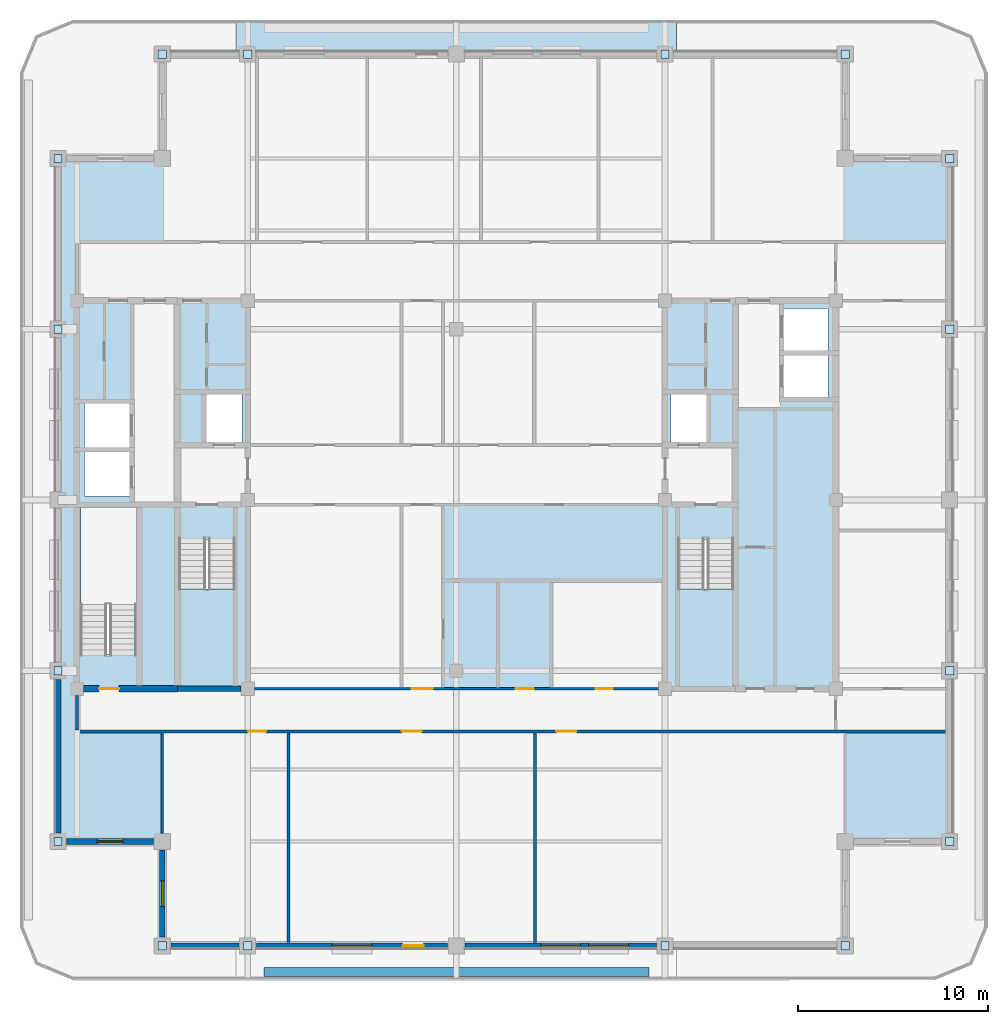
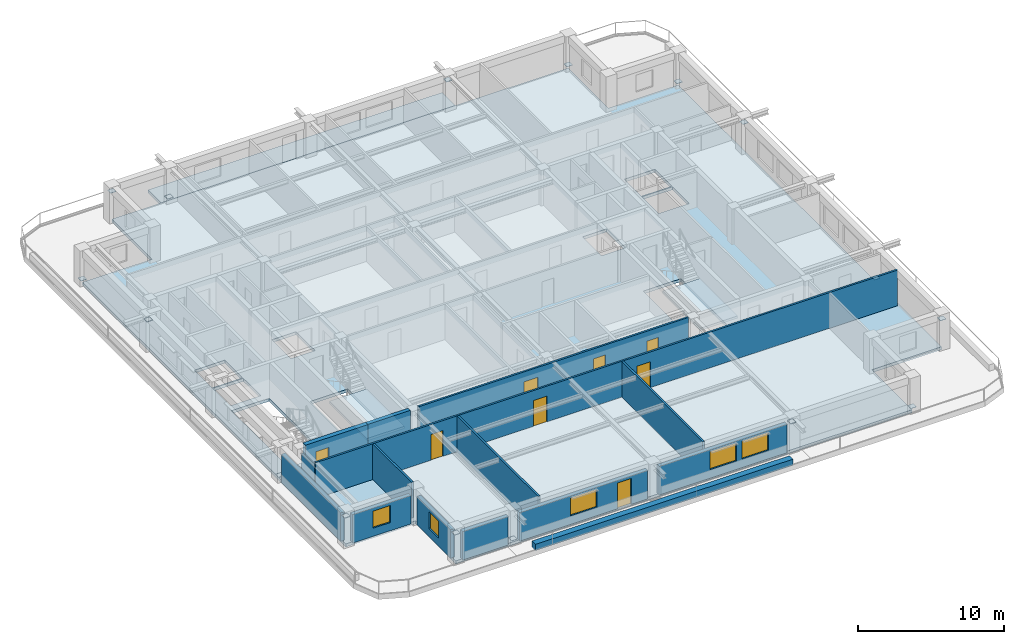
# One storey, part 2 of 11: 16 plates, 15 walls, 8 doors, 5 windows, 4 slabs, 13 openings, 2 elements without a shape of their own.
"""IFC4 building model written with IfcOpenShell, lengths in metres."""

from ifc_helpers import new_model, si_unit, direction, frame, frame_2d, origin, origin_2d, place, context, subcontext, project, spatial, polyline, rectangle, outline, extrude, material, layer, layer_set, type_object, element, fill, aggregate, save


model = new_model("IFC4")

# Units and contexts
model_context = context("Model", 3, precision=1e-05, world=origin(), true_north=direction((0.0, 1.0)))
body_context = subcontext(model_context, "Body", "Model", "MODEL_VIEW")
ifc_project = project(units=[si_unit("LENGTHUNIT", "METRE"), si_unit("AREAUNIT", "SQUARE_METRE"), si_unit("VOLUMEUNIT", "CUBIC_METRE"), si_unit("PLANEANGLEUNIT", "RADIAN"), si_unit("MASSUNIT", "GRAM", prefix="KILO")], contexts=[model_context])

# Site, building, storey
site_placement = place(None, origin())
site = spatial("IfcSite", under=ifc_project, at=site_placement, CompositionType="ELEMENT")
building_placement = place(site_placement, origin())
building = spatial("IfcBuilding", under=site, at=building_placement, Name="Zulmaris Gate Convention Tower", CompositionType="ELEMENT")
storey_placement = place(building_placement, frame((0.0, 0.0, 233.280029296875)))
storey = spatial("IfcBuildingStorey", under=building, at=storey_placement, Name="L61", CompositionType="ELEMENT", Elevation=233.280029296875)

# Plates
ifc_material_1 = material(Name="Steel S460", Category="steel")
ifc_layer_1 = layer(ifc_material_1, 0.02490234375, Name="Steel S460")
ifc_layer_set_1 = layer_set([ifc_layer_1], Name="Steel S460")
plate_type = type_object("IfcPlateType", Name="NP-CAP-440", PredefinedType="USERDEFINED", material=ifc_layer_set_1)
for number, where, z_axis, x_axis, name in (
    (1, (-21.0, -9.0, 0.28759765625), (0.0, 0.0, 1.0), (1.0, 0.0, 0.0), "L61 Steel Node Plate PBR-L61-SW-W-CAP"),
    (2, (-21.0, -18.0, 2.347412109375), (0.0, 0.0, 1.0), (1.0, 0.0, 0.0), "L61 Steel Node Plate PBR-L61-SW-W-CAPB"),
    (3, (-21.0, 18.0, 0.28759765625), (0.0, 0.0, 1.0), (1.0, 0.0, 0.0), "L61 Steel Node Plate PBR-L61-NW-W-CAP"),
    (4, (-21.0, 9.0, 2.347412109375), (0.0, 0.0, 1.0), (1.0, 0.0, 0.0), "L61 Steel Node Plate PBR-L61-NW-W-CAPB"),
    (5, (26.0, -9.0, 0.28759765625), (0.0, 0.0, 1.0), (1.0, 0.0, 0.0), "L61 Steel Node Plate PBR-L61-SE-E-CAP"),
    (6, (26.0, -18.0, 2.347412109375), (0.0, 0.0, 1.0), (1.0, 0.0, 0.0), "L61 Steel Node Plate PBR-L61-SE-E-CAPB"),
    (7, (26.0, 18.0, 0.28759765625), (0.0, 0.0, 1.0), (1.0, 0.0, 0.0), "L61 Steel Node Plate PBR-L61-NE-E-CAP"),
    (8, (26.0, 9.0, 2.347412109375), (0.0, 0.0, 1.0), (1.0, 0.0, 0.0), "L61 Steel Node Plate PBR-L61-NE-E-CAPB"),
    (9, (-11.0, -23.5, 0.28759765625), (0.0, 0.0, 1.0), (1.0, 0.0, 0.0), "L61 Steel Node Plate PBR-L61-SW-S-CAP"),
    (10, (-15.5, -23.5, 2.347412109375), (0.0, 0.0, 1.0), (1.0, 0.0, 0.0), "L61 Steel Node Plate PBR-L61-SW-S-CAPB"),
    (11, (20.5, -23.5, 0.28759765625), (0.0, 0.0, 1.0), (1.0, 0.0, 0.0), "L61 Steel Node Plate PBR-L61-SE-S-CAP"),
    (12, (11.0, -23.5, 2.347412109375), (0.0, 0.0, 1.0), (1.0, 0.0, 0.0), "L61 Steel Node Plate PBR-L61-SE-S-CAPB"),
    (13, (-11.0, 23.5, 0.28759765625), (0.0, 0.0, 1.0), (1.0, 0.0, 0.0), "L61 Steel Node Plate PBR-L61-NW-N-CAP"),
    (14, (-15.5, 23.5, 2.347412109375), (0.0, 0.0, 1.0), (1.0, 0.0, 0.0), "L61 Steel Node Plate PBR-L61-NW-N-CAPB"),
    (15, (20.5, 23.5, 0.28759765625), (0.0, 0.0, 1.0), (1.0, 0.0, 0.0), "L61 Steel Node Plate PBR-L61-NE-N-CAP"),
    (16, (11.0, 23.5, 2.347412109375), (0.0, 0.0, 1.0), (1.0, 0.0, 0.0), "L61 Steel Node Plate PBR-L61-NE-N-CAPB"),
):
    element("IfcPlate", number, at=place(storey_placement, frame(where, z_axis=z_axis, x_axis=x_axis)), inside=storey, type_object=plate_type, Name=name, ObjectType="FLANGE PLATE", PredefinedType="USERDEFINED", context=body_context, shape_type="SweptSolid", body=[
        extrude(rectangle(XDim=0.43994140625, YDim=0.43994140625, at=origin_2d()), origin(), (0.0, 0.0, 1.0), 0.02490234375),
    ])

# Slabs
ifc_material_2 = material(Name="Precast concrete C50/60", Category="concrete")
ifc_layer_2 = layer(ifc_material_2, 0.239990234375, Name="Precast concrete C50/60")
ifc_layer_set_2 = layer_set([ifc_layer_2], Name="Precast concrete C50/60")
slab_type_1 = type_object("IfcSlabType", Name="SL-BAL-240", PredefinedType="FLOOR", material=ifc_layer_set_2)
slab_1_placement = place(storey_placement, frame((0.0, 0.0, -0.25)))
element("IfcSlab", 17, at=slab_1_placement, inside=storey, type_object=slab_type_1, Name="L61 North Tree-Balcony Planter Slab", PredefinedType="FLOOR", context=body_context, shape_type="SweptSolid", body=[
    extrude(outline(polyline([(11.597900390625, 25.300048828125), (11.597900390625, 23.5), (-11.597900390625, 23.5), (-11.597900390625, 25.300048828125), (11.597900390625, 25.300048828125)])), origin(), (0.0, 0.0, 1.0), 0.239990234375),
])
ifc_material_3 = material(Name="Concrete C50/60", Category="concrete")
ifc_layer_3 = layer(ifc_material_3, 0.25, Name="Concrete C50/60")
ifc_layer_set_3 = layer_set([ifc_layer_3], Name="Concrete C50/60")
slab_type_2 = type_object("IfcSlabType", Name="SL-FLR-250", PredefinedType="FLOOR", material=ifc_layer_set_3)
slab_2_placement = place(storey_placement, frame((0.0, 0.0, -0.25)))
element("IfcSlab", 18, at=slab_2_placement, inside=storey, type_object=slab_type_2, Name="L61 Shifted Notched-Square Structural Floor Slab", PredefinedType="FLOOR", context=body_context, shape_type="SweptSolid", body=[
    extrude(outline(polyline([(-15.5, -23.5), (20.5, -23.5), (20.5, -18.0), (26.0, -18.0), (26.0, 18.0), (20.5, 18.0), (20.5, 23.5), (-15.5, 23.5), (-15.5, 18.0), (-21.0, 18.0), (-21.0, -18.0), (-15.5, -18.0), (-15.5, -23.5)]), holes=[polyline([(-14.6201171875, -2.080078125), (-14.6201171875, -9.85009765625), (-11.659912109375, -9.85009765625), (-11.659912109375, -2.080078125), (-14.6201171875, -2.080078125)]), polyline([(11.659912109375, -2.080078125), (11.659912109375, -9.85009765625), (14.6201171875, -9.85009765625), (14.6201171875, -2.080078125), (11.659912109375, -2.080078125)]), polyline([(-16.860107421875, -8.1201171875), (-16.860107421875, -0.35009765625), (-19.820068359375, -0.35009765625), (-19.820068359375, -8.1201171875), (-16.860107421875, -8.1201171875)]), polyline([(-13.199951171875, 3.0), (-11.300048828125, 3.0), (-11.300048828125, 5.60009765625), (-13.199951171875, 5.60009765625), (-13.199951171875, 3.0)]), polyline([(11.300048828125, 3.0), (13.199951171875, 3.0), (13.199951171875, 5.60009765625), (11.300048828125, 5.60009765625), (11.300048828125, 3.0)]), polyline([(17.199951171875, 5.39990234375), (19.60009765625, 5.39990234375), (19.60009765625, 7.699951171875), (17.199951171875, 7.699951171875), (17.199951171875, 5.39990234375)]), polyline([(17.199951171875, 7.800048828125), (19.60009765625, 7.800048828125), (19.60009765625, 10.10009765625), (17.199951171875, 10.10009765625), (17.199951171875, 7.800048828125)]), polyline([(-19.60009765625, 0.199951171875), (-17.199951171875, 0.199951171875), (-17.199951171875, 2.60009765625), (-19.60009765625, 2.60009765625), (-19.60009765625, 0.199951171875)]), polyline([(-19.60009765625, 2.699951171875), (-17.199951171875, 2.699951171875), (-17.199951171875, 5.10009765625), (-19.60009765625, 5.10009765625), (-19.60009765625, 2.699951171875)])]), origin(), (0.0, 0.0, 1.0), 0.25),
])

# Stair, slab
ifc_material_4 = material(Name="Concrete C45/55", Category="concrete")
stair_type = type_object("IfcStairType", Name="ST-CORE-DOGLEG", PredefinedType="HALF_TURN_STAIR", material=ifc_material_4)
stair_1_placement = place(storey_placement, origin())
stair_1 = element("IfcStair", 19, at=stair_1_placement, inside=storey, type_object=stair_type, Name="L61 Core Exit Stair ST-1", PredefinedType="HALF_TURN_STAIR")
ifc_layer_4 = layer(ifc_material_4, 0.199951171875, Name="Concrete C45/55")
ifc_layer_set_4 = layer_set([ifc_layer_4], Name="Concrete C45/55")
slab_type_3 = type_object("IfcSlabType", Name="SL-LND-200", PredefinedType="LANDING", material=ifc_layer_set_4)
slab_3_placement = place(storey_placement, frame((0.0, 0.0, 1.4150390625)))
slab_3 = element("IfcSlab", 20, at=slab_3_placement, type_object=slab_type_3, Name="ST-1 landing 1", PredefinedType="LANDING", context=body_context, shape_type="SweptSolid", body=[
    extrude(outline(polyline([(-14.6201171875, -4.699951171875), (-14.6201171875, -9.85009765625), (-11.659912109375, -9.85009765625), (-11.659912109375, -4.699951171875), (-14.6201171875, -4.699951171875)])), origin(), (0.0, 0.0, 1.0), 0.199951171875),
])
aggregate(stair_1, [slab_3])

stair_2_placement = place(storey_placement, origin())
stair_2 = element("IfcStair", 21, at=stair_2_placement, inside=storey, type_object=stair_type, Name="L61 Core Exit Stair ST-2", PredefinedType="HALF_TURN_STAIR")
slab_4_placement = place(storey_placement, frame((0.0, 0.0, 1.4150390625)))
slab_4 = element("IfcSlab", 22, at=slab_4_placement, type_object=slab_type_3, Name="ST-2 landing 1", PredefinedType="LANDING", context=body_context, shape_type="SweptSolid", body=[
    extrude(outline(polyline([(11.659912109375, -4.699951171875), (11.659912109375, -9.85009765625), (14.6201171875, -9.85009765625), (14.6201171875, -4.699951171875), (11.659912109375, -4.699951171875)])), origin(), (0.0, 0.0, 1.0), 0.199951171875),
])
aggregate(stair_2, [slab_4])

# Wall
ifc_layer_5 = layer(ifc_material_3, 0.300048828125, Name="Concrete C50/60")
ifc_layer_set_5 = layer_set([ifc_layer_5], Name="Concrete C50/60")
wall_type_1 = type_object("IfcWallType", Name="CORE-300", PredefinedType="SHEAR", material=ifc_layer_set_5)
wall_1_placement = place(storey_placement, frame((-14.699951171875, -9.949951171875, 0.0), z_axis=(0.0, 0.0, 1.0), x_axis=(1.0, 0.0, 0.0)))
element("IfcWall", 23, at=wall_1_placement, inside=storey, type_object=wall_type_1, Name="WL-L61-002", PredefinedType="SHEAR", context=body_context, shape_type="SweptSolid", body=[
    extrude(rectangle(XDim=3.345947265625, YDim=0.300048828125, at=frame_2d((1.6728515625, 0.0))), origin(), (0.0, 0.0, 1.0), 2.97998046875),
])

# Wall, opening, door
ifc_material_5 = material(Name="Concrete C55/67", Category="concrete")
ifc_layer_6 = layer(ifc_material_5, 0.35009765625, Name="Concrete C55/67")
ifc_layer_set_6 = layer_set([ifc_layer_6], Name="Concrete C55/67")
wall_type_2 = type_object("IfcWallType", Name="CORE-350", PredefinedType="SHEAR", material=ifc_layer_set_6)
wall_2_placement = place(storey_placement, frame((-19.64599609375, -9.949951171875, 0.0), z_axis=(0.0, 0.0, 1.0), x_axis=(1.0, 0.0, 0.0)))
wall_2 = element("IfcWall", 24, at=wall_2_placement, inside=storey, type_object=wall_type_2, Name="WL-L61-001", PredefinedType="SHEAR", context=body_context, shape_type="SweptSolid", body=[
    extrude(rectangle(XDim=4.946044921875, YDim=0.35009765625, at=frame_2d((2.47314453125, 0.0))), origin(), (0.0, 0.0, 1.0), 2.97998046875),
])
opening_1_placement = place(wall_2_placement, frame((0.821044921875, 0.0, 0.0)))
opening_1 = element("IfcOpeningElement", 25, at=opening_1_placement, cuts=wall_2, Name="Opening D-09", PredefinedType="OPENING", context=body_context, shape_type="SweptSolid", body=[
    extrude(rectangle(XDim=1.050048828125, YDim=2.14990234375, at=frame_2d((0.52490234375, 1.074951171875))), frame((0.0, 0.18505859375, 0.0), z_axis=(0.0, -1.0, 0.0), x_axis=(1.0, 0.0, 0.0)), (0.0, 0.0, 1.0), 0.3701171875),
])
ifc_material_6 = material(Name="Fire-Rated Steel", Category="steel")
door_type_1 = type_object("IfcDoorType", Name="DR-1050-FD", OperationType="NOTDEFINED", PredefinedType="DOOR", material=ifc_material_6)
door_1_placement = place(opening_1_placement, origin())
door_1 = element("IfcDoor", 26, at=door_1_placement, inside=storey, type_object=door_type_1, Name="L61 Exit Stair ST-3 Door 13", OperationType="SINGLE_SWING_LEFT", OverallHeight=2.14990234375, OverallWidth=1.050048828125, PredefinedType="DOOR", context=body_context, shape_type="SweptSolid", body=[
    extrude(rectangle(XDim=1.050048828125, YDim=2.14990234375, at=frame_2d((0.52490234375, 1.074951171875))), frame((0.0, 0.02490234375, 0.0), z_axis=(0.0, -1.0, 0.0), x_axis=(1.0, 0.0, 0.0)), (0.0, 0.0, 1.0), 0.050048828125),
])
fill(opening_1, door_1)

# Wall, openings, doors
ifc_material_7 = material(Name="Gypsum Metal Stud Partition")
ifc_layer_7 = layer(ifc_material_7, 0.14990234375, Name="Gypsum Metal Stud Partition")
ifc_layer_set_7 = layer_set([ifc_layer_7], Name="Gypsum Metal Stud Partition")
wall_type_3 = type_object("IfcWallType", Name="PART-150", PredefinedType="PARTITIONING", material=ifc_layer_set_7)
wall_3_placement = place(storey_placement, frame((-20.074951171875, -12.199951171875, 0.0), z_axis=(0.0, 0.0, 1.0), x_axis=(1.0, 0.0, 0.0)))
wall_3 = element("IfcWall", 27, at=wall_3_placement, inside=storey, type_object=wall_type_3, Name="WL-L61-019", PredefinedType="PARTITIONING", context=body_context, shape_type="SweptSolid", body=[
    extrude(rectangle(XDim=45.909912109375, YDim=0.14990234375, at=frame_2d((22.955078125, 0.0))), origin(), (0.0, 0.0, 1.0), 2.97998046875),
])
opening_2_placement = place(wall_3_placement, frame((9.10009765625, 0.0, 0.0)))
opening_2 = element("IfcOpeningElement", 28, at=opening_2_placement, cuts=wall_3, Name="Opening D-11", PredefinedType="OPENING", context=body_context, shape_type="SweptSolid", body=[
    extrude(rectangle(XDim=0.949951171875, YDim=2.14990234375, at=frame_2d((0.47509765625, 1.074951171875))), frame((0.0, 0.0849609375, 0.0), z_axis=(0.0, -1.0, 0.0), x_axis=(1.0, 0.0, 0.0)), (0.0, 0.0, 1.0), 0.169921875),
])
opening_3_placement = place(wall_3_placement, frame((17.199951171875, 0.0, 0.0)))
opening_3 = element("IfcOpeningElement", 29, at=opening_3_placement, cuts=wall_3, Name="Opening D-09", PredefinedType="OPENING", context=body_context, shape_type="SweptSolid", body=[
    extrude(rectangle(XDim=1.050048828125, YDim=2.14990234375, at=frame_2d((0.52490234375, 1.074951171875))), frame((0.0, 0.0849609375, 0.0), z_axis=(0.0, -1.0, 0.0), x_axis=(1.0, 0.0, 0.0)), (0.0, 0.0, 1.0), 0.169921875),
])
opening_4_placement = place(wall_3_placement, frame((25.35009765625, 0.0, 0.0)))
opening_4 = element("IfcOpeningElement", 30, at=opening_4_placement, cuts=wall_3, Name="Opening D-09", PredefinedType="OPENING", context=body_context, shape_type="SweptSolid", body=[
    extrude(rectangle(XDim=1.050048828125, YDim=2.14990234375, at=frame_2d((0.52490234375, 1.074951171875))), frame((0.0, 0.0849609375, 0.0), z_axis=(0.0, -1.0, 0.0), x_axis=(1.0, 0.0, 0.0)), (0.0, 0.0, 1.0), 0.169921875),
])
door_2_placement = place(opening_3_placement, origin())
door_2 = element("IfcDoor", 31, at=door_2_placement, inside=storey, type_object=door_type_1, Name="L61 Advisory Suite Office Door 36", OperationType="SINGLE_SWING_RIGHT", OverallHeight=2.14990234375, OverallWidth=1.050048828125, PredefinedType="DOOR", context=body_context, shape_type="SweptSolid", body=[
    extrude(rectangle(XDim=1.050048828125, YDim=2.14990234375, at=frame_2d((0.52490234375, 1.074951171875))), frame((0.0, 0.02490234375, 0.0), z_axis=(0.0, -1.0, 0.0), x_axis=(1.0, 0.0, 0.0)), (0.0, 0.0, 1.0), 0.050048828125),
])
fill(opening_3, door_2)
door_3_placement = place(opening_4_placement, origin())
door_3 = element("IfcDoor", 32, at=door_3_placement, inside=storey, type_object=door_type_1, Name="L61 Open Plan Workplace Door 37", OperationType="SINGLE_SWING_LEFT", OverallHeight=2.14990234375, OverallWidth=1.050048828125, PredefinedType="DOOR", context=body_context, shape_type="SweptSolid", body=[
    extrude(rectangle(XDim=1.050048828125, YDim=2.14990234375, at=frame_2d((0.52490234375, 1.074951171875))), frame((0.0, 0.02490234375, 0.0), z_axis=(0.0, -1.0, 0.0), x_axis=(1.0, 0.0, 0.0)), (0.0, 0.0, 1.0), 0.050048828125),
])
fill(opening_4, door_3)
ifc_material_8 = material(Name="Fire-Rated Timber", Category="wood")
door_type_2 = type_object("IfcDoorType", Name="DR-950-FD", OperationType="NOTDEFINED", PredefinedType="DOOR", material=ifc_material_8)
door_4_placement = place(opening_2_placement, origin())
door_4 = element("IfcDoor", 33, at=door_4_placement, inside=storey, type_object=door_type_2, Name="L61 Partner Corner Office Door 35", OperationType="SINGLE_SWING_LEFT", OverallHeight=2.14990234375, OverallWidth=0.949951171875, PredefinedType="DOOR", context=body_context, shape_type="SweptSolid", body=[
    extrude(rectangle(XDim=0.949951171875, YDim=2.14990234375, at=frame_2d((0.47509765625, 1.074951171875))), frame((0.0, 0.02490234375, 0.0), z_axis=(0.0, -1.0, 0.0), x_axis=(1.0, 0.0, 0.0)), (0.0, 0.0, 1.0), 0.050048828125),
])
fill(opening_2, door_4)

wall_4_placement = place(storey_placement, frame((-10.64404296875, -9.949951171875, 0.0), z_axis=(0.0, 0.0, 1.0), x_axis=(1.0, 0.0, 0.0)))
wall_4 = element("IfcWall", 34, at=wall_4_placement, inside=storey, type_object=wall_type_3, Name="WL-L61-020", PredefinedType="PARTITIONING", context=body_context, shape_type="SweptSolid", body=[
    extrude(rectangle(XDim=21.2880859375, YDim=0.14990234375, at=frame_2d((10.64404296875, 0.0))), origin(), (0.0, 0.0, 1.0), 2.97998046875),
])
opening_5_placement = place(wall_4_placement, frame((8.2939453125, 0.0, 0.0)))
opening_5 = element("IfcOpeningElement", 35, at=opening_5_placement, cuts=wall_4, Name="Opening D-08", PredefinedType="OPENING", context=body_context, shape_type="SweptSolid", body=[
    extrude(rectangle(XDim=1.10009765625, YDim=2.14990234375, at=frame_2d((0.550048828125, 1.074951171875))), frame((0.0, 0.0849609375, 0.0), z_axis=(0.0, -1.0, 0.0), x_axis=(1.0, 0.0, 0.0)), (0.0, 0.0, 1.0), 0.169921875),
])
opening_6_placement = place(wall_4_placement, frame((13.76904296875, 0.0, 0.0)))
opening_6 = element("IfcOpeningElement", 36, at=opening_6_placement, cuts=wall_4, Name="Opening D-11", PredefinedType="OPENING", context=body_context, shape_type="SweptSolid", body=[
    extrude(rectangle(XDim=0.949951171875, YDim=2.14990234375, at=frame_2d((0.47509765625, 1.074951171875))), frame((0.0, 0.0849609375, 0.0), z_axis=(0.0, -1.0, 0.0), x_axis=(1.0, 0.0, 0.0)), (0.0, 0.0, 1.0), 0.169921875),
])
opening_7_placement = place(wall_4_placement, frame((17.993896484375, 0.0, 0.0)))
opening_7 = element("IfcOpeningElement", 37, at=opening_7_placement, cuts=wall_4, Name="Opening D-12", PredefinedType="OPENING", context=body_context, shape_type="SweptSolid", body=[
    extrude(rectangle(XDim=0.89990234375, YDim=2.14990234375, at=frame_2d((0.449951171875, 1.074951171875))), frame((0.0, 0.0849609375, 0.0), z_axis=(0.0, -1.0, 0.0), x_axis=(1.0, 0.0, 0.0)), (0.0, 0.0, 1.0), 0.169921875),
])
door_type_3 = type_object("IfcDoorType", Name="DR-1100-FD", OperationType="NOTDEFINED", PredefinedType="DOOR", material=ifc_material_6)
door_5_placement = place(opening_5_placement, origin())
door_5 = element("IfcDoor", 38, at=door_5_placement, inside=storey, type_object=door_type_3, Name="L61 Exec South Link Door 26", OperationType="SINGLE_SWING_RIGHT", OverallHeight=2.14990234375, OverallWidth=1.10009765625, PredefinedType="DOOR", context=body_context, shape_type="SweptSolid", body=[
    extrude(rectangle(XDim=1.10009765625, YDim=2.14990234375, at=frame_2d((0.550048828125, 1.074951171875))), frame((0.0, 0.02490234375, 0.0), z_axis=(0.0, -1.0, 0.0), x_axis=(1.0, 0.0, 0.0)), (0.0, 0.0, 1.0), 0.050048828125),
])
fill(opening_5, door_5)
door_type_4 = type_object("IfcDoorType", Name="DR-900-FD", OperationType="NOTDEFINED", PredefinedType="DOOR", material=ifc_material_8)
door_6_placement = place(opening_7_placement, origin())
door_6 = element("IfcDoor", 39, at=door_6_placement, inside=storey, type_object=door_type_4, Name="L61 Reprographics Office Door 45", OperationType="SINGLE_SWING_LEFT", OverallHeight=2.14990234375, OverallWidth=0.89990234375, PredefinedType="DOOR", context=body_context, shape_type="SweptSolid", body=[
    extrude(rectangle(XDim=0.89990234375, YDim=2.14990234375, at=frame_2d((0.449951171875, 1.074951171875))), frame((0.0, 0.02490234375, 0.0), z_axis=(0.0, -1.0, 0.0), x_axis=(1.0, 0.0, 0.0)), (0.0, 0.0, 1.0), 0.050048828125),
])
fill(opening_7, door_6)
door_7_placement = place(opening_6_placement, origin())
door_7 = element("IfcDoor", 40, at=door_7_placement, inside=storey, type_object=door_type_2, Name="L61 Accessible WC Door 44", OperationType="SINGLE_SWING_RIGHT", OverallHeight=2.14990234375, OverallWidth=0.949951171875, PredefinedType="DOOR", context=body_context, shape_type="SweptSolid", body=[
    extrude(rectangle(XDim=0.949951171875, YDim=2.14990234375, at=frame_2d((0.47509765625, 1.074951171875))), frame((0.0, 0.02490234375, 0.0), z_axis=(0.0, -1.0, 0.0), x_axis=(1.0, 0.0, 0.0)), (0.0, 0.0, 1.0), 0.050048828125),
])
fill(opening_6, door_7)

# Walls
wall_5_placement = place(storey_placement, frame((-20.0, -12.1220703125, 0.0), z_axis=(0.0, 0.0, 1.0), x_axis=(0.0, 1.0, 0.0)))
element("IfcWall", 41, at=wall_5_placement, inside=storey, type_object=wall_type_3, Name="WL-L61-065", PredefinedType="PARTITIONING", context=body_context, shape_type="SweptSolid", body=[
    extrude(rectangle(XDim=1.816162109375, YDim=0.14990234375, at=frame_2d((0.908203125, 0.0))), origin(), (0.0, 0.0, 1.0), 2.570068359375),
])
wall_6_placement = place(storey_placement, frame((-15.5, -17.569091796875, 0.0), z_axis=(0.0, 0.0, 1.0), x_axis=(0.0, 1.0, 0.0)))
element("IfcWall", 42, at=wall_6_placement, inside=storey, type_object=wall_type_3, Name="WL-L61-069", PredefinedType="PARTITIONING", context=body_context, shape_type="SweptSolid", body=[
    extrude(rectangle(XDim=5.291015625, YDim=0.14990234375, at=frame_2d((2.6455078125, 0.0))), origin(), (0.0, 0.0, 1.0), 2.97998046875),
])
for number, where, z_axis, x_axis, name in (
    (43, (-8.85009765625, -23.3349609375, 0.0), (0.0, 0.0, 1.0), (0.0, 1.0, 0.0), "WL-L61-073"),
    (44, (4.14990234375, -23.3349609375, 0.0), (0.0, 0.0, 1.0), (0.0, 1.0, 0.0), "WL-L61-083"),
):
    element("IfcWall", number, at=place(storey_placement, frame(where, z_axis=z_axis, x_axis=x_axis)), inside=storey, type_object=wall_type_3, Name=name, PredefinedType="PARTITIONING", context=body_context, shape_type="SweptSolid", body=[
        extrude(rectangle(XDim=11.056884765625, YDim=0.14990234375, at=frame_2d((5.5283203125, 0.0))), origin(), (0.0, 0.0, 1.0), 2.97998046875),
    ])
ifc_material_9 = material(Name="Botanical Green Glazed Precast Concrete C40/50", Category="concrete")
ifc_layer_8 = layer(ifc_material_9, 0.419921875, Name="Botanical Green Glazed Precast Concrete C40/50")
ifc_layer_set_8 = layer_set([ifc_layer_8], Name="Botanical Green Glazed Precast Concrete C40/50")
wall_type_4 = type_object("IfcWallType", Name="PLANTER-CURB-200", PredefinedType="PARAPET", material=ifc_layer_set_8)
wall_7_placement = place(storey_placement, frame((-10.14990234375, -24.8798828125, -0.0400390625), z_axis=(0.0, 0.0, 1.0), x_axis=(1.0, 0.0, 0.0)))
element("IfcWall", 45, at=wall_7_placement, inside=storey, type_object=wall_type_4, Name="L61 Full-Length Balcony Tree Planter Trough", PredefinedType="PARAPET", context=body_context, shape_type="SweptSolid", body=[
    extrude(rectangle(XDim=20.2998046875, YDim=0.47998046875, at=frame_2d((10.14990234375, 0.0))), origin(), (0.0, 0.0, 1.0), 0.52001953125),
])

# Wall, opening, window
ifc_material_10 = material(Name="Precast concrete C40/50", Category="concrete")
ifc_layer_9 = layer(ifc_material_10, 0.300048828125, Name="Precast concrete C40/50")
ifc_layer_set_9 = layer_set([ifc_layer_9], Name="Precast concrete C40/50")
wall_type_5 = type_object("IfcWallType", Name="PRECAST-PIER-300", PredefinedType="STANDARD", material=ifc_layer_set_9)
wall_8_placement = place(storey_placement, frame((-20.544921875, -18.0, 0.0), z_axis=(0.0, 0.0, 1.0), x_axis=(1.0, 0.0, 0.0)))
wall_8 = element("IfcWall", 46, at=wall_8_placement, inside=storey, type_object=wall_type_5, Name="EW-L61-NOTCH-SW1_0", PredefinedType="STANDARD", context=body_context, shape_type="SweptSolid", body=[
    extrude(rectangle(XDim=4.58984375, YDim=0.300048828125, at=frame_2d((2.294921875, 0.0))), origin(), (0.0, 0.0, 1.0), 2.3720703125),
])
opening_8_placement = place(wall_8_placement, frame((1.6201171875, 0.0, 0.679931640625)))
opening_8 = element("IfcOpeningElement", 47, at=opening_8_placement, cuts=wall_8, Name="Opening W-10", PredefinedType="OPENING", context=body_context, shape_type="SweptSolid", body=[
    extrude(rectangle(XDim=1.35009765625, YDim=1.419921875, at=frame_2d((0.675048828125, 0.7099609375))), frame((0.0, 0.16015625, 0.0), z_axis=(0.0, -1.0, 0.0), x_axis=(1.0, 0.0, 0.0)), (0.0, 0.0, 1.0), 0.320068359375),
])
ifc_material_11 = material(Name="Low-E Laminated Double Glazing in Aluminium Frame", Category="aluminium")
window_type_1 = type_object("IfcWindowType", Name="WIN-1350x2000", PartitioningType="SINGLE_PANEL", PredefinedType="WINDOW", material=ifc_material_11)
window_1_placement = place(opening_8_placement, origin())
window_1 = element("IfcWindow", 48, at=window_1_placement, inside=storey, type_object=window_type_1, Name="WN-EW-L61-NOTCH-SW1_0", OverallHeight=1.419921875, OverallWidth=1.35009765625, PartitioningType="SINGLE_PANEL", PredefinedType="WINDOW", context=body_context, shape_type="SweptSolid", body=[
    extrude(rectangle(XDim=1.35009765625, YDim=1.419921875, at=frame_2d((0.675048828125, 0.7099609375))), frame((0.0, 0.030029296875, 0.0), z_axis=(0.0, -1.0, 0.0), x_axis=(1.0, 0.0, 0.0)), (0.0, 0.0, 1.0), 0.06005859375),
])
fill(opening_8, window_1)

wall_9_placement = place(storey_placement, frame((-15.5, -18.455078125, 0.0), z_axis=(0.0, 0.0, 1.0), x_axis=(0.0, -1.0, 0.0)))
wall_9 = element("IfcWall", 49, at=wall_9_placement, inside=storey, type_object=wall_type_5, Name="EW-L61-NOTCH-SW2_0", PredefinedType="STANDARD", context=body_context, shape_type="SweptSolid", body=[
    extrude(rectangle(XDim=4.58984375, YDim=0.300048828125, at=frame_2d((2.294921875, 0.0))), origin(), (0.0, 0.0, 1.0), 2.3720703125),
])
opening_9_placement = place(wall_9_placement, frame((1.6201171875, 0.0, 0.679931640625)))
opening_9 = element("IfcOpeningElement", 50, at=opening_9_placement, cuts=wall_9, Name="Opening W-10", PredefinedType="OPENING", context=body_context, shape_type="SweptSolid", body=[
    extrude(rectangle(XDim=1.35009765625, YDim=1.419921875, at=frame_2d((0.675048828125, 0.7099609375))), frame((0.0, 0.16015625, 0.0), z_axis=(0.0, -1.0, 0.0), x_axis=(1.0, 0.0, 0.0)), (0.0, 0.0, 1.0), 0.320068359375),
])
window_2_placement = place(opening_9_placement, origin())
window_2 = element("IfcWindow", 51, at=window_2_placement, inside=storey, type_object=window_type_1, Name="WN-EW-L61-NOTCH-SW2_0", OverallHeight=1.419921875, OverallWidth=1.35009765625, PartitioningType="SINGLE_PANEL", PredefinedType="WINDOW", context=body_context, shape_type="SweptSolid", body=[
    extrude(rectangle(XDim=1.35009765625, YDim=1.419921875, at=frame_2d((0.675048828125, 0.7099609375))), frame((0.0, 0.030029296875, 0.0), z_axis=(0.0, -1.0, 0.0), x_axis=(1.0, 0.0, 0.0)), (0.0, 0.0, 1.0), 0.06005859375),
])
fill(opening_9, window_2)

# Wall
wall_10_placement = place(storey_placement, frame((-15.044921875, -23.5, 0.0), z_axis=(0.0, 0.0, 1.0), x_axis=(1.0, 0.0, 0.0)))
element("IfcWall", 52, at=wall_10_placement, inside=storey, type_object=wall_type_5, Name="EW-L61-S-0_0", PredefinedType="STANDARD", context=body_context, shape_type="SweptSolid", body=[
    extrude(rectangle(XDim=3.58984375, YDim=0.300048828125, at=frame_2d((1.794921875, 0.0))), origin(), (0.0, 0.0, 1.0), 2.3720703125),
])

# Wall, openings, door, window
wall_11_placement = place(storey_placement, frame((-10.544921875, -23.5, 0.0), z_axis=(0.0, 0.0, 1.0), x_axis=(1.0, 0.0, 0.0)))
wall_11 = element("IfcWall", 53, at=wall_11_placement, inside=storey, type_object=wall_type_5, Name="EW-L61-S-1_0", PredefinedType="STANDARD", context=body_context, shape_type="SweptSolid", body=[
    extrude(rectangle(XDim=10.08984375, YDim=0.300048828125, at=frame_2d((5.044921875, 0.0))), origin(), (0.0, 0.0, 1.0), 2.3720703125),
])
opening_10_placement = place(wall_11_placement, frame((7.716064453125, 0.0, 0.0)))
opening_10 = element("IfcOpeningElement", 54, at=opening_10_placement, cuts=wall_11, Name="Opening D-04", PredefinedType="OPENING", context=body_context, shape_type="SweptSolid", body=[
    extrude(rectangle(XDim=1.10009765625, YDim=2.14990234375, at=frame_2d((0.550048828125, 1.074951171875))), frame((0.0, 0.16015625, 0.0), z_axis=(0.0, -1.0, 0.0), x_axis=(1.0, 0.0, 0.0)), (0.0, 0.0, 1.0), 0.320068359375),
])
opening_11_placement = place(wall_11_placement, frame((3.9951171875, 0.0, 0.699951171875)))
opening_11 = element("IfcOpeningElement", 55, at=opening_11_placement, cuts=wall_11, Name="Opening W-05", PredefinedType="OPENING", context=body_context, shape_type="SweptSolid", body=[
    extrude(rectangle(XDim=2.10009765625, YDim=1.5, at=frame_2d((1.050048828125, 0.75))), frame((0.0, 0.16015625, 0.0), z_axis=(0.0, -1.0, 0.0), x_axis=(1.0, 0.0, 0.0)), (0.0, 0.0, 1.0), 0.320068359375),
])
ifc_material_12 = material(Name="Anodised Aluminium and Laminated Glass", Category="aluminium")
door_type_5 = type_object("IfcDoorType", Name="ED-1100", OperationType="SINGLE_SWING_RIGHT", PredefinedType="DOOR", material=ifc_material_12)
door_8_placement = place(opening_10_placement, origin())
door_8 = element("IfcDoor", 56, at=door_8_placement, inside=storey, type_object=door_type_5, Name="L61 S Planted Terrace Door", OperationType="SINGLE_SWING_RIGHT", OverallHeight=2.14990234375, OverallWidth=1.10009765625, PredefinedType="DOOR", context=body_context, shape_type="SweptSolid", body=[
    extrude(rectangle(XDim=1.10009765625, YDim=2.14990234375, at=frame_2d((0.550048828125, 1.074951171875))), frame((0.0, 0.02490234375, 0.0), z_axis=(0.0, -1.0, 0.0), x_axis=(1.0, 0.0, 0.0)), (0.0, 0.0, 1.0), 0.050048828125),
])
fill(opening_10, door_8)
window_type_2 = type_object("IfcWindowType", Name="WIN-2100x2400", PartitioningType="SINGLE_PANEL", PredefinedType="WINDOW", material=ifc_material_11)
window_3_placement = place(opening_11_placement, origin())
window_3 = element("IfcWindow", 57, at=window_3_placement, inside=storey, type_object=window_type_2, Name="WN-EW-L61-S-1_0-2", OverallHeight=1.5, OverallWidth=2.10009765625, PartitioningType="SINGLE_PANEL", PredefinedType="WINDOW", context=body_context, shape_type="SweptSolid", body=[
    extrude(rectangle(XDim=2.10009765625, YDim=1.5, at=frame_2d((1.050048828125, 0.75))), frame((0.0, 0.030029296875, 0.0), z_axis=(0.0, -1.0, 0.0), x_axis=(1.0, 0.0, 0.0)), (0.0, 0.0, 1.0), 0.06005859375),
])
fill(opening_11, window_3)

# Wall, openings, windows
wall_12_placement = place(storey_placement, frame((0.455078125, -23.5, 0.0), z_axis=(0.0, 0.0, 1.0), x_axis=(1.0, 0.0, 0.0)))
wall_12 = element("IfcWall", 58, at=wall_12_placement, inside=storey, type_object=wall_type_5, Name="EW-L61-S-2_0", PredefinedType="STANDARD", context=body_context, shape_type="SweptSolid", body=[
    extrude(rectangle(XDim=10.08984375, YDim=0.300048828125, at=frame_2d((5.044921875, 0.0))), origin(), (0.0, 0.0, 1.0), 2.3720703125),
])
opening_12_placement = place(wall_12_placement, frame((3.9951171875, 0.0, 0.699951171875)))
opening_12 = element("IfcOpeningElement", 59, at=opening_12_placement, cuts=wall_12, Name="Opening W-05", PredefinedType="OPENING", context=body_context, shape_type="SweptSolid", body=[
    extrude(rectangle(XDim=2.10009765625, YDim=1.5, at=frame_2d((1.050048828125, 0.75))), frame((0.0, 0.16015625, 0.0), z_axis=(0.0, -1.0, 0.0), x_axis=(1.0, 0.0, 0.0)), (0.0, 0.0, 1.0), 0.320068359375),
])
opening_13_placement = place(wall_12_placement, frame((6.51806640625, 0.0, 0.699951171875)))
opening_13 = element("IfcOpeningElement", 60, at=opening_13_placement, cuts=wall_12, Name="Opening W-05", PredefinedType="OPENING", context=body_context, shape_type="SweptSolid", body=[
    extrude(rectangle(XDim=2.10009765625, YDim=1.5, at=frame_2d((1.050048828125, 0.75))), frame((0.0, 0.16015625, 0.0), z_axis=(0.0, -1.0, 0.0), x_axis=(1.0, 0.0, 0.0)), (0.0, 0.0, 1.0), 0.320068359375),
])
window_4_placement = place(opening_12_placement, origin())
window_4 = element("IfcWindow", 61, at=window_4_placement, inside=storey, type_object=window_type_2, Name="WN-EW-L61-S-2_0-2", OverallHeight=1.5, OverallWidth=2.10009765625, PartitioningType="SINGLE_PANEL", PredefinedType="WINDOW", context=body_context, shape_type="SweptSolid", body=[
    extrude(rectangle(XDim=2.10009765625, YDim=1.5, at=frame_2d((1.050048828125, 0.75))), frame((0.0, 0.030029296875, 0.0), z_axis=(0.0, -1.0, 0.0), x_axis=(1.0, 0.0, 0.0)), (0.0, 0.0, 1.0), 0.06005859375),
])
fill(opening_12, window_4)
window_5_placement = place(opening_13_placement, origin())
window_5 = element("IfcWindow", 62, at=window_5_placement, inside=storey, type_object=window_type_2, Name="WN-EW-L61-S-2_0-3", OverallHeight=1.5, OverallWidth=2.10009765625, PartitioningType="SINGLE_PANEL", PredefinedType="WINDOW", context=body_context, shape_type="SweptSolid", body=[
    extrude(rectangle(XDim=2.10009765625, YDim=1.5, at=frame_2d((1.050048828125, 0.75))), frame((0.0, 0.030029296875, 0.0), z_axis=(0.0, -1.0, 0.0), x_axis=(1.0, 0.0, 0.0)), (0.0, 0.0, 1.0), 0.06005859375),
])
fill(opening_13, window_5)

# Wall
wall_13_placement = place(storey_placement, frame((-21.0, -9.455078125, 0.0), z_axis=(0.0, 0.0, 1.0), x_axis=(0.0, -1.0, 0.0)))
element("IfcWall", 63, at=wall_13_placement, inside=storey, type_object=wall_type_5, Name="EW-L61-W-0_0", PredefinedType="STANDARD", context=body_context, shape_type="SweptSolid", body=[
    extrude(rectangle(XDim=8.08984375, YDim=0.300048828125, at=frame_2d((4.044921875, 0.0))), origin(), (0.0, 0.0, 1.0), 2.3720703125),
])

save(model, "model.ifc")
